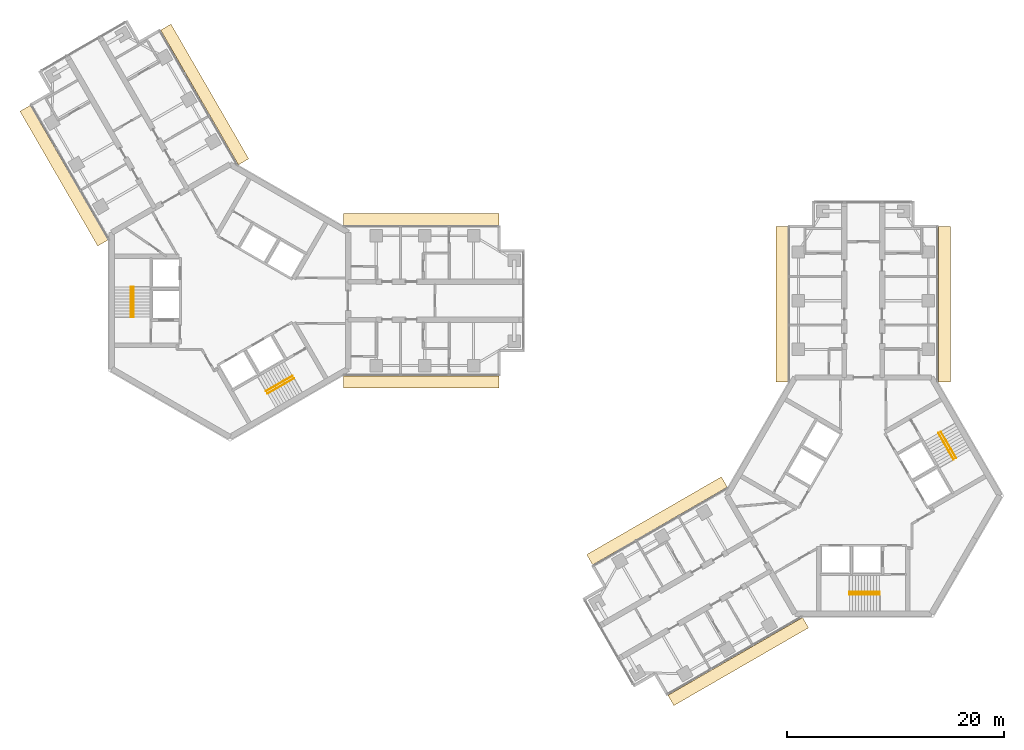
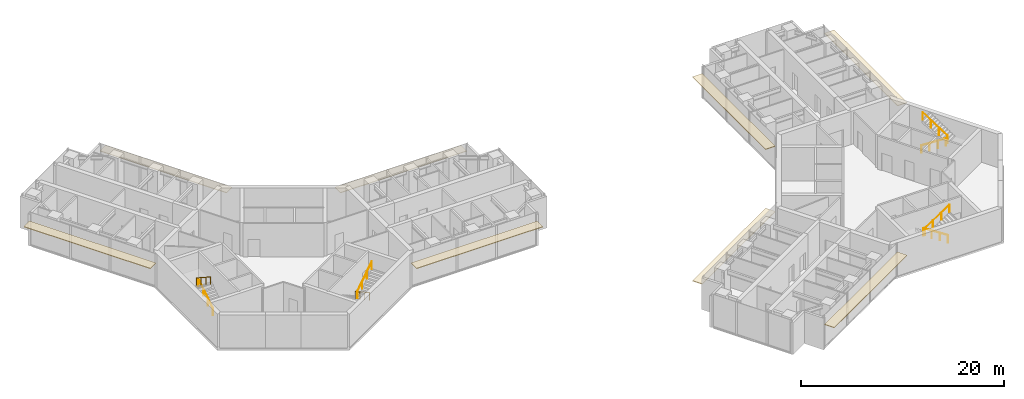
# One storey, part 17 of 17: 8 coverings, 8 railings.
"""IFC4 building model written with IfcOpenShell, lengths in metres."""

from ifc_helpers import new_model, si_unit, direction, frame, origin, origin_2d, place, context, subcontext, project, spatial, rectangle, circle, extrude, material, layer, layer_set, type_object, element, save


model = new_model("IFC4")

# Units and contexts
model_context = context("Model", 3, precision=1e-05, world=origin(), true_north=direction((0.0, 1.0)))
body_context = subcontext(model_context, "Body", "Model", "MODEL_VIEW")
ifc_project = project(units=[si_unit("LENGTHUNIT", "METRE"), si_unit("AREAUNIT", "SQUARE_METRE"), si_unit("VOLUMEUNIT", "CUBIC_METRE"), si_unit("PLANEANGLEUNIT", "RADIAN"), si_unit("MASSUNIT", "GRAM", prefix="KILO")], contexts=[model_context])

# Site, building, storey
site_placement = place(None, origin())
site = spatial("IfcSite", under=ifc_project, at=site_placement, CompositionType="ELEMENT")
building_placement = place(site_placement, origin())
building = spatial("IfcBuilding", under=site, at=building_placement, Name="Upepo Twin Towers", CompositionType="ELEMENT")
storey_placement = place(building_placement, frame((0.0, 0.0, 210.5)))
storey = spatial("IfcBuildingStorey", under=building, at=storey_placement, Name="L51", CompositionType="ELEMENT", Elevation=210.5)

# Coverings
ifc_material_1 = material(Name="Anodised aluminium, pale silver", Category="aluminium")
ifc_layer = layer(ifc_material_1, 0.080078125)
ifc_layer_set = layer_set([ifc_layer], Name="Brise-soleil blade 1100 pale aluminium")
covering_type = type_object("IfcCoveringType", Name="Brise-soleil blade 1100 pale aluminium", PredefinedType="USERDEFINED", material=ifc_layer_set)
for number, where, z_axis, x_axis, name in (
    (1, (17.66845703125, 7.50244140625, 2.909912109375), (0.0, 0.0, 1.0), (1.0, 0.0, 0.0), "T1 L51 wing A brise-soleil L"),
    (2, (17.66845703125, -7.50244140625, 2.909912109375), (0.0, 0.0, 1.0), (1.0, 0.0, 0.0), "T1 L51 wing A brise-soleil R"),
    (3, (-15.33154296875, 11.550048828125, 2.909912109375), (0.0, 0.0, 1.0), (-0.50000003023, 0.866025386331, 0.0), "T1 L51 wing B brise-soleil L"),
    (4, (-2.3369140625, 19.052734375, 2.909912109375), (0.0, 0.0, 1.0), (-0.49999996977, 0.866025421238, 0.0), "T1 L51 wing B brise-soleil R"),
    (5, (50.99755859375, -0.33154296875, 2.909912109375), (0.0, 0.0, 1.0), (0.0, 1.0, 0.0), "T2 L51 wing A brise-soleil L"),
    (6, (66.00244140625, -0.33154296875, 2.909912109375), (0.0, 0.0, 1.0), (0.0, 1.0, 0.0), "T2 L51 wing A brise-soleil R"),
    (7, (46.949951171875, -33.33154296875, 2.909912109375), (0.0, 0.0, 1.0), (-0.866025386331, -0.50000003023, 0.0), "T2 L51 wing B brise-soleil L"),
    (8, (39.447265625, -20.3369140625, 2.909912109375), (0.0, 0.0, 1.0), (-0.866025421238, -0.49999996977, 0.0), "T2 L51 wing B brise-soleil R"),
):
    element("IfcCovering", number, at=place(storey_placement, frame(where, z_axis=z_axis, x_axis=x_axis)), inside=storey, type_object=covering_type, Name=name, ObjectType="SUNSHADE", PredefinedType="USERDEFINED", context=body_context, shape_type="SweptSolid", body=[
        extrude(rectangle(XDim=14.36279296875, YDim=1.10009765625, at=origin_2d()), origin(), (0.0, 0.0, 1.0), 0.080078125),
    ])

# Railings
ifc_material_2 = material(Name="Stainless steel", Category="steel")
railing_type = type_object("IfcRailingType", Name="Stair handrail 900", PredefinedType="HANDRAIL", material=ifc_material_2)
railing_1_placement = place(storey_placement, frame((-8.89990234375, -1.52001953125, 0.181884765625)))
element("IfcRailing", 9, at=railing_1_placement, inside=storey, type_object=railing_type, Name="T1 stair S1 L51 handrail 1", PredefinedType="HANDRAIL", context=body_context, shape_type="SweptSolid", body=[
    extrude(circle(Radius=0.02392578125, at=origin_2d()), frame((0.0, 0.0, 0.8759765625), z_axis=(0.0, 0.838705829183, 0.544584733623), x_axis=(-1.0, 0.0, 0.0)), (0.0, 0.0, 1.0), 3.338623046875),
    extrude(circle(Radius=0.02099609375, at=origin_2d()), origin(), (0.0, 0.0, 1.0), 0.851806640625),
    extrude(circle(Radius=0.02099609375, at=origin_2d()), frame((0.0, 0.933349609375, 0.60595703125)), (0.0, 0.0, 1.0), 0.851806640625),
    extrude(circle(Radius=0.02099609375, at=origin_2d()), frame((0.0, 1.86669921875, 1.212158203125)), (0.0, 0.0, 1.0), 0.851806640625),
    extrude(circle(Radius=0.02099609375, at=origin_2d()), frame((0.0, 2.800048828125, 1.818115234375)), (0.0, 0.0, 1.0), 0.851806640625),
])
railing_2_placement = place(storey_placement, frame((-9.158447265625, 1.280029296875, 2.181884765625)))
element("IfcRailing", 10, at=railing_2_placement, inside=storey, type_object=railing_type, Name="T1 stair S1 L51 handrail 2", PredefinedType="HANDRAIL", context=body_context, shape_type="SweptSolid", body=[
    extrude(circle(Radius=0.02392578125, at=origin_2d()), frame((0.0, 0.0, 0.8759765625), z_axis=(0.0, -0.838705829183, 0.544584733623), x_axis=(1.0, 0.0, 0.0)), (0.0, 0.0, 1.0), 3.338623046875),
    extrude(circle(Radius=0.02099609375, at=origin_2d()), origin(), (0.0, 0.0, 1.0), 0.851806640625),
    extrude(circle(Radius=0.02099609375, at=origin_2d()), frame((0.0, -0.933349609375, 0.60595703125)), (0.0, 0.0, 1.0), 0.851806640625),
    extrude(circle(Radius=0.02099609375, at=origin_2d()), frame((0.0, -1.86669921875, 1.212158203125)), (0.0, 0.0, 1.0), 0.851806640625),
    extrude(circle(Radius=0.02099609375, at=origin_2d()), frame((0.0, -2.800048828125, 1.818115234375)), (0.0, 0.0, 1.0), 0.851806640625),
])
railing_3_placement = place(storey_placement, frame((5.766357421875, -6.947509765625, 0.181884765625)))
element("IfcRailing", 11, at=railing_3_placement, inside=storey, type_object=railing_type, Name="T1 stair S2 L51 handrail 1", PredefinedType="HANDRAIL", context=body_context, shape_type="SweptSolid", body=[
    extrude(circle(Radius=0.02392578125, at=origin_2d()), frame((0.0, 0.0, 0.8759765625), z_axis=(-0.726314030065, -0.419392968428, 0.544589265193), x_axis=(0.500049511043, -0.865996816683, 0.0)), (0.0, 0.0, 1.0), 3.338623046875),
    extrude(circle(Radius=0.02099609375, at=origin_2d()), origin(), (0.0, 0.0, 1.0), 0.851806640625),
    extrude(circle(Radius=0.02099609375, at=origin_2d()), frame((-0.808349609375, -0.466796875, 0.60595703125)), (0.0, 0.0, 1.0), 0.851806640625),
    extrude(circle(Radius=0.02099609375, at=origin_2d()), frame((-1.616455078125, -0.933349609375, 1.212158203125)), (0.0, 0.0, 1.0), 0.851806640625),
    extrude(circle(Radius=0.02099609375, at=origin_2d()), frame((-2.4248046875, -1.400146484375, 1.818115234375)), (0.0, 0.0, 1.0), 0.851806640625),
])
railing_4_placement = place(storey_placement, frame((3.470703125, -8.5712890625, 2.181884765625)))
element("IfcRailing", 12, at=railing_4_placement, inside=storey, type_object=railing_type, Name="T1 stair S2 L51 handrail 2", PredefinedType="HANDRAIL", context=body_context, shape_type="SweptSolid", body=[
    extrude(circle(Radius=0.02392578125, at=origin_2d()), frame((0.0, 0.0, 0.8759765625), z_axis=(0.726336304947, 0.419332699614, 0.544605966869), x_axis=(-0.49998411664, 0.866034573852, 0.0)), (0.0, 0.0, 1.0), 3.33837890625),
    extrude(circle(Radius=0.02099609375, at=origin_2d()), origin(), (0.0, 0.0, 1.0), 0.851806640625),
    extrude(circle(Radius=0.02099609375, at=origin_2d()), frame((0.808349609375, 0.466552734375, 0.60595703125)), (0.0, 0.0, 1.0), 0.851806640625),
    extrude(circle(Radius=0.02099609375, at=origin_2d()), frame((1.616455078125, 0.933349609375, 1.212158203125)), (0.0, 0.0, 1.0), 0.851806640625),
    extrude(circle(Radius=0.02099609375, at=origin_2d()), frame((2.4248046875, 1.39990234375, 1.818115234375)), (0.0, 0.0, 1.0), 0.851806640625),
])
railing_5_placement = place(storey_placement, frame((60.02001953125, -26.89990234375, 0.181884765625)))
element("IfcRailing", 13, at=railing_5_placement, inside=storey, type_object=railing_type, Name="T2 stair S1 L51 handrail 1", PredefinedType="HANDRAIL", context=body_context, shape_type="SweptSolid", body=[
    extrude(circle(Radius=0.02392578125, at=origin_2d()), frame((0.0, 0.0, 0.8759765625), z_axis=(-0.838705829183, 0.0, 0.544584733623), x_axis=(0.0, -1.0, 0.0)), (0.0, 0.0, 1.0), 3.338623046875),
    extrude(circle(Radius=0.02099609375, at=origin_2d()), origin(), (0.0, 0.0, 1.0), 0.851806640625),
    extrude(circle(Radius=0.02099609375, at=origin_2d()), frame((-0.933349609375, 0.0, 0.60595703125)), (0.0, 0.0, 1.0), 0.851806640625),
    extrude(circle(Radius=0.02099609375, at=origin_2d()), frame((-1.86669921875, 0.0, 1.212158203125)), (0.0, 0.0, 1.0), 0.851806640625),
    extrude(circle(Radius=0.02099609375, at=origin_2d()), frame((-2.800048828125, 0.0, 1.818115234375)), (0.0, 0.0, 1.0), 0.851806640625),
])
railing_6_placement = place(storey_placement, frame((57.219970703125, -27.158447265625, 2.181884765625)))
element("IfcRailing", 14, at=railing_6_placement, inside=storey, type_object=railing_type, Name="T2 stair S1 L51 handrail 2", PredefinedType="HANDRAIL", context=body_context, shape_type="SweptSolid", body=[
    extrude(circle(Radius=0.02392578125, at=origin_2d()), frame((0.0, 0.0, 0.8759765625), z_axis=(0.838705829183, 0.0, 0.544584733623), x_axis=(0.0, 1.0, 0.0)), (0.0, 0.0, 1.0), 3.338623046875),
    extrude(circle(Radius=0.02099609375, at=origin_2d()), origin(), (0.0, 0.0, 1.0), 0.851806640625),
    extrude(circle(Radius=0.02099609375, at=origin_2d()), frame((0.933349609375, 0.0, 0.60595703125)), (0.0, 0.0, 1.0), 0.851806640625),
    extrude(circle(Radius=0.02099609375, at=origin_2d()), frame((1.86669921875, 0.0, 1.212158203125)), (0.0, 0.0, 1.0), 0.851806640625),
    extrude(circle(Radius=0.02099609375, at=origin_2d()), frame((2.800048828125, 0.0, 1.818115234375)), (0.0, 0.0, 1.0), 0.851806640625),
])
railing_7_placement = place(storey_placement, frame((65.447509765625, -12.233642578125, 0.181884765625)))
element("IfcRailing", 15, at=railing_7_placement, inside=storey, type_object=railing_type, Name="T2 stair S2 L51 handrail 1", PredefinedType="HANDRAIL", context=body_context, shape_type="SweptSolid", body=[
    extrude(circle(Radius=0.02392578125, at=origin_2d()), frame((0.0, 0.0, 0.8759765625), z_axis=(0.419392968428, -0.726314030065, 0.544589265193), x_axis=(0.865996816683, 0.500049511043, 0.0)), (0.0, 0.0, 1.0), 3.338623046875),
    extrude(circle(Radius=0.02099609375, at=origin_2d()), origin(), (0.0, 0.0, 1.0), 0.851806640625),
    extrude(circle(Radius=0.02099609375, at=origin_2d()), frame((0.466796875, -0.808349609375, 0.60595703125)), (0.0, 0.0, 1.0), 0.851806640625),
    extrude(circle(Radius=0.02099609375, at=origin_2d()), frame((0.933349609375, -1.616455078125, 1.212158203125)), (0.0, 0.0, 1.0), 0.851806640625),
    extrude(circle(Radius=0.02099609375, at=origin_2d()), frame((1.400146484375, -2.4248046875, 1.818115234375)), (0.0, 0.0, 1.0), 0.851806640625),
])
railing_8_placement = place(storey_placement, frame((67.0712890625, -14.529296875, 2.181884765625)))
element("IfcRailing", 16, at=railing_8_placement, inside=storey, type_object=railing_type, Name="T2 stair S2 L51 handrail 2", PredefinedType="HANDRAIL", context=body_context, shape_type="SweptSolid", body=[
    extrude(circle(Radius=0.02392578125, at=origin_2d()), frame((0.0, 0.0, 0.8759765625), z_axis=(-0.419332699614, 0.726336304947, 0.544605966869), x_axis=(-0.866034573852, -0.49998411664, 0.0)), (0.0, 0.0, 1.0), 3.33837890625),
    extrude(circle(Radius=0.02099609375, at=origin_2d()), origin(), (0.0, 0.0, 1.0), 0.851806640625),
    extrude(circle(Radius=0.02099609375, at=origin_2d()), frame((-0.466552734375, 0.808349609375, 0.60595703125)), (0.0, 0.0, 1.0), 0.851806640625),
    extrude(circle(Radius=0.02099609375, at=origin_2d()), frame((-0.933349609375, 1.616455078125, 1.212158203125)), (0.0, 0.0, 1.0), 0.851806640625),
    extrude(circle(Radius=0.02099609375, at=origin_2d()), frame((-1.39990234375, 2.4248046875, 1.818115234375)), (0.0, 0.0, 1.0), 0.851806640625),
])

save(model, "model.ifc")
